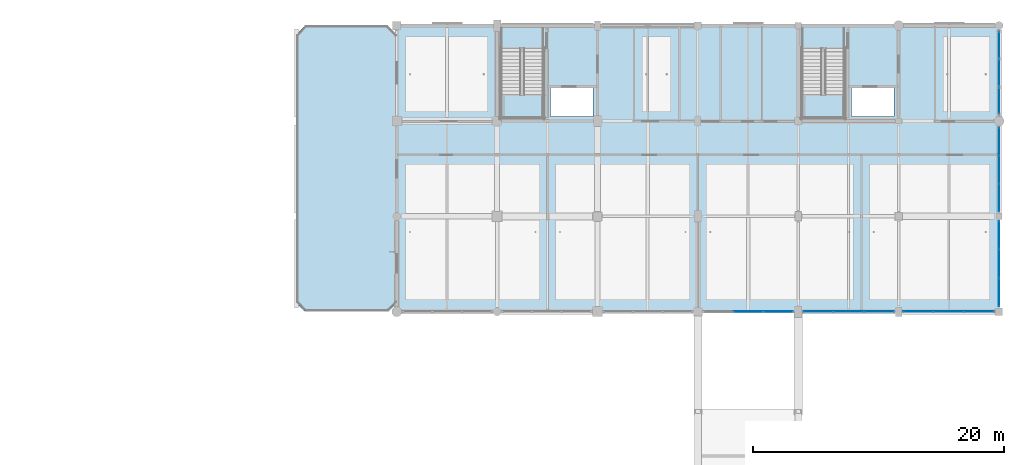
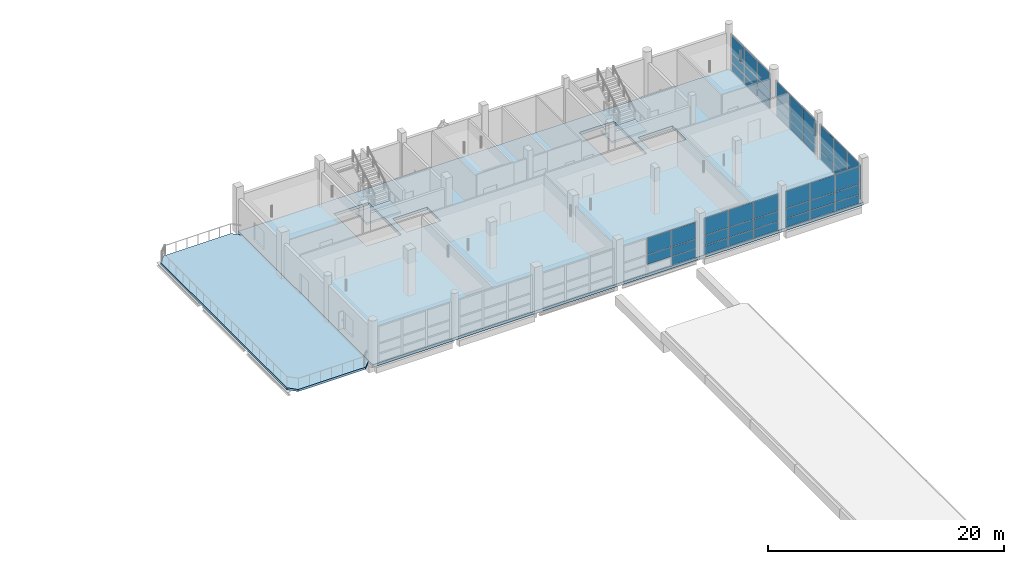
# One storey, part 63 of 107: 50 plates, 4 slabs, 8 elements without a shape of their own.
"""IFC4 building model written with IfcOpenShell, lengths in metres."""

from ifc_helpers import new_model, si_unit, direction, frame, origin, origin_2d, place, context, subcontext, project, spatial, polyline, rectangle, outline, extrude, material, layer, layer_set, type_object, element, aggregate, save


model = new_model("IFC4")

# Units and contexts
model_context = context("Model", 3, precision=1e-05, world=origin(), true_north=direction((0.0, 1.0)))
body_context = subcontext(model_context, "Body", "Model", "MODEL_VIEW")
ifc_project = project(units=[si_unit("LENGTHUNIT", "METRE"), si_unit("AREAUNIT", "SQUARE_METRE"), si_unit("VOLUMEUNIT", "CUBIC_METRE"), si_unit("PLANEANGLEUNIT", "RADIAN"), si_unit("MASSUNIT", "GRAM", prefix="KILO")], contexts=[model_context])

# Site, building, storey
site_placement = place(None, origin())
site = spatial("IfcSite", under=ifc_project, at=site_placement, CompositionType="ELEMENT")
building_placement = place(site_placement, origin())
building = spatial("IfcBuilding", under=site, at=building_placement, Name="Khelvaren Railside Concert Hall", CompositionType="ELEMENT")
storey_placement = place(building_placement, frame((0.0, 0.0, 15.0)))
storey = spatial("IfcBuildingStorey", under=building, at=storey_placement, Name="L03", CompositionType="ELEMENT", Elevation=15.0)

# Curtain wall, plates
ifc_material_1 = material(Name="Double-glazed clear foyer glass", Category="glass")
curtain_wall_type_1 = type_object("IfcCurtainWallType", Name="CW68", PredefinedType="USERDEFINED", material=ifc_material_1)
curtain_wall_1_placement = place(storey_placement, origin())
curtain_wall_1 = element("IfcCurtainWall", 1, at=curtain_wall_1_placement, inside=storey, type_object=curtain_wall_type_1, Name="Unitised Curtain Wall CW-V5-L03-E-91", ObjectType="UNITISED CURTAIN WALL", PredefinedType="USERDEFINED")
ifc_layer_1 = layer(ifc_material_1, 0.0439453125)
ifc_layer_set_1 = layer_set([ifc_layer_1], Name="Double-glazed clear foyer glass")
plate_type_1 = type_object("IfcPlateType", Name="CWP33", PredefinedType="CURTAIN_PANEL", material=ifc_layer_set_1)
plate_1_placement = place(storey_placement, frame((184.0, 97.307861328125, 0.06494140625), z_axis=(0.0, 0.0, 1.0), x_axis=(0.0, -1.0, 0.0)))
plate_1 = element("IfcPlate", 2, at=plate_1_placement, type_object=plate_type_1, Name="CW68 panel 1.1", PredefinedType="CURTAIN_PANEL", context=body_context, shape_type="SweptSolid", body=[
    extrude(rectangle(XDim=2.189208984375, YDim=0.0439453125, at=origin_2d()), origin(), (0.0, 0.0, 1.0), 0.8525390625),
])
plate_2_placement = place(storey_placement, frame((184.0, 97.307861328125, 0.982421875), z_axis=(0.0, 0.0, 1.0), x_axis=(0.0, -1.0, 0.0)))
plate_2 = element("IfcPlate", 3, at=plate_2_placement, type_object=plate_type_1, Name="CW68 panel 1.2", PredefinedType="CURTAIN_PANEL", context=body_context, shape_type="SweptSolid", body=[
    extrude(rectangle(XDim=2.189208984375, YDim=0.0439453125, at=origin_2d()), origin(), (0.0, 0.0, 1.0), 0.893310546875),
])
plate_3_placement = place(storey_placement, frame((184.0, 97.307861328125, 1.94091796875), z_axis=(0.0, 0.0, 1.0), x_axis=(0.0, -1.0, 0.0)))
plate_3 = element("IfcPlate", 4, at=plate_3_placement, type_object=plate_type_1, Name="CW68 panel 1.3", PredefinedType="CURTAIN_PANEL", context=body_context, shape_type="SweptSolid", body=[
    extrude(rectangle(XDim=2.189208984375, YDim=0.0439453125, at=origin_2d()), origin(), (0.0, 0.0, 1.0), 1.6640625),
])
plate_4_placement = place(storey_placement, frame((184.0, 95.02490234375, 0.06494140625), z_axis=(0.0, 0.0, 1.0), x_axis=(0.0, -1.0, 0.0)))
plate_4 = element("IfcPlate", 5, at=plate_4_placement, type_object=plate_type_1, Name="CW68 panel 2.1", PredefinedType="CURTAIN_PANEL", context=body_context, shape_type="SweptSolid", body=[
    extrude(rectangle(XDim=2.2265625, YDim=0.0439453125, at=origin_2d()), origin(), (0.0, 0.0, 1.0), 0.8525390625),
])
plate_5_placement = place(storey_placement, frame((184.0, 95.02490234375, 0.982421875), z_axis=(0.0, 0.0, 1.0), x_axis=(0.0, -1.0, 0.0)))
plate_5 = element("IfcPlate", 6, at=plate_5_placement, type_object=plate_type_1, Name="CW68 panel 2.2", PredefinedType="CURTAIN_PANEL", context=body_context, shape_type="SweptSolid", body=[
    extrude(rectangle(XDim=2.2265625, YDim=0.0439453125, at=origin_2d()), origin(), (0.0, 0.0, 1.0), 0.893310546875),
])
plate_6_placement = place(storey_placement, frame((184.0, 95.02490234375, 1.94091796875), z_axis=(0.0, 0.0, 1.0), x_axis=(0.0, -1.0, 0.0)))
plate_6 = element("IfcPlate", 7, at=plate_6_placement, type_object=plate_type_1, Name="CW68 panel 2.3", PredefinedType="CURTAIN_PANEL", context=body_context, shape_type="SweptSolid", body=[
    extrude(rectangle(XDim=2.2265625, YDim=0.0439453125, at=origin_2d()), origin(), (0.0, 0.0, 1.0), 1.6640625),
])
plate_7_placement = place(storey_placement, frame((184.0, 92.7421875, 0.06494140625), z_axis=(0.0, 0.0, 1.0), x_axis=(0.0, -1.0, 0.0)))
plate_7 = element("IfcPlate", 8, at=plate_7_placement, type_object=plate_type_1, Name="CW68 panel 3.1", PredefinedType="CURTAIN_PANEL", context=body_context, shape_type="SweptSolid", body=[
    extrude(rectangle(XDim=2.189208984375, YDim=0.0439453125, at=origin_2d()), origin(), (0.0, 0.0, 1.0), 0.8525390625),
])
plate_8_placement = place(storey_placement, frame((184.0, 92.7421875, 0.982421875), z_axis=(0.0, 0.0, 1.0), x_axis=(0.0, -1.0, 0.0)))
plate_8 = element("IfcPlate", 9, at=plate_8_placement, type_object=plate_type_1, Name="CW68 panel 3.2", PredefinedType="CURTAIN_PANEL", context=body_context, shape_type="SweptSolid", body=[
    extrude(rectangle(XDim=2.189208984375, YDim=0.0439453125, at=origin_2d()), origin(), (0.0, 0.0, 1.0), 0.893310546875),
])
plate_9_placement = place(storey_placement, frame((184.0, 92.7421875, 1.94091796875), z_axis=(0.0, 0.0, 1.0), x_axis=(0.0, -1.0, 0.0)))
plate_9 = element("IfcPlate", 10, at=plate_9_placement, type_object=plate_type_1, Name="CW68 panel 3.3", PredefinedType="CURTAIN_PANEL", context=body_context, shape_type="SweptSolid", body=[
    extrude(rectangle(XDim=2.189208984375, YDim=0.0439453125, at=origin_2d()), origin(), (0.0, 0.0, 1.0), 1.6640625),
])
aggregate(curtain_wall_1, [plate_1, plate_2, plate_3, plate_4, plate_5, plate_6, plate_7, plate_8, plate_9])

curtain_wall_type_2 = type_object("IfcCurtainWallType", Name="CW70", PredefinedType="USERDEFINED", material=ifc_material_1)
curtain_wall_2_placement = place(storey_placement, origin())
curtain_wall_2 = element("IfcCurtainWall", 11, at=curtain_wall_2_placement, inside=storey, type_object=curtain_wall_type_2, Name="Unitised Curtain Wall CW-V5-L03-E-99", ObjectType="UNITISED CURTAIN WALL", PredefinedType="USERDEFINED")
plate_10_placement = place(storey_placement, frame((184.0, 104.774658203125, 0.06494140625), z_axis=(0.0, 0.0, 1.0), x_axis=(0.0, -1.0, 0.0)))
plate_10 = element("IfcPlate", 12, at=plate_10_placement, type_object=plate_type_1, Name="CW70 panel 1.1", PredefinedType="CURTAIN_PANEL", context=body_context, shape_type="SweptSolid", body=[
    extrude(rectangle(XDim=2.15576171875, YDim=0.0439453125, at=origin_2d()), origin(), (0.0, 0.0, 1.0), 0.8525390625),
])
plate_11_placement = place(storey_placement, frame((184.0, 104.774658203125, 0.982421875), z_axis=(0.0, 0.0, 1.0), x_axis=(0.0, -1.0, 0.0)))
plate_11 = element("IfcPlate", 13, at=plate_11_placement, type_object=plate_type_1, Name="CW70 panel 1.2", PredefinedType="CURTAIN_PANEL", context=body_context, shape_type="SweptSolid", body=[
    extrude(rectangle(XDim=2.15576171875, YDim=0.0439453125, at=origin_2d()), origin(), (0.0, 0.0, 1.0), 0.893310546875),
])
plate_12_placement = place(storey_placement, frame((184.0, 104.774658203125, 1.94091796875), z_axis=(0.0, 0.0, 1.0), x_axis=(0.0, -1.0, 0.0)))
plate_12 = element("IfcPlate", 14, at=plate_12_placement, type_object=plate_type_1, Name="CW70 panel 1.3", PredefinedType="CURTAIN_PANEL", context=body_context, shape_type="SweptSolid", body=[
    extrude(rectangle(XDim=2.15576171875, YDim=0.0439453125, at=origin_2d()), origin(), (0.0, 0.0, 1.0), 1.6640625),
])
plate_13_placement = place(storey_placement, frame((184.0, 102.52490234375, 0.06494140625), z_axis=(0.0, 0.0, 1.0), x_axis=(0.0, -1.0, 0.0)))
plate_13 = element("IfcPlate", 15, at=plate_13_placement, type_object=plate_type_1, Name="CW70 panel 2.1", PredefinedType="CURTAIN_PANEL", context=body_context, shape_type="SweptSolid", body=[
    extrude(rectangle(XDim=2.193359375, YDim=0.0439453125, at=origin_2d()), origin(), (0.0, 0.0, 1.0), 0.8525390625),
])
plate_14_placement = place(storey_placement, frame((184.0, 102.52490234375, 0.982421875), z_axis=(0.0, 0.0, 1.0), x_axis=(0.0, -1.0, 0.0)))
plate_14 = element("IfcPlate", 16, at=plate_14_placement, type_object=plate_type_1, Name="CW70 panel 2.2", PredefinedType="CURTAIN_PANEL", context=body_context, shape_type="SweptSolid", body=[
    extrude(rectangle(XDim=2.193359375, YDim=0.0439453125, at=origin_2d()), origin(), (0.0, 0.0, 1.0), 0.893310546875),
])
plate_15_placement = place(storey_placement, frame((184.0, 102.52490234375, 1.94091796875), z_axis=(0.0, 0.0, 1.0), x_axis=(0.0, -1.0, 0.0)))
plate_15 = element("IfcPlate", 17, at=plate_15_placement, type_object=plate_type_1, Name="CW70 panel 2.3", PredefinedType="CURTAIN_PANEL", context=body_context, shape_type="SweptSolid", body=[
    extrude(rectangle(XDim=2.193359375, YDim=0.0439453125, at=origin_2d()), origin(), (0.0, 0.0, 1.0), 1.6640625),
])
plate_16_placement = place(storey_placement, frame((184.0, 100.275390625, 0.06494140625), z_axis=(0.0, 0.0, 1.0), x_axis=(0.0, -1.0, 0.0)))
plate_16 = element("IfcPlate", 18, at=plate_16_placement, type_object=plate_type_1, Name="CW70 panel 3.1", PredefinedType="CURTAIN_PANEL", context=body_context, shape_type="SweptSolid", body=[
    extrude(rectangle(XDim=2.15576171875, YDim=0.0439453125, at=origin_2d()), origin(), (0.0, 0.0, 1.0), 0.8525390625),
])
plate_17_placement = place(storey_placement, frame((184.0, 100.275390625, 0.982421875), z_axis=(0.0, 0.0, 1.0), x_axis=(0.0, -1.0, 0.0)))
plate_17 = element("IfcPlate", 19, at=plate_17_placement, type_object=plate_type_1, Name="CW70 panel 3.2", PredefinedType="CURTAIN_PANEL", context=body_context, shape_type="SweptSolid", body=[
    extrude(rectangle(XDim=2.15576171875, YDim=0.0439453125, at=origin_2d()), origin(), (0.0, 0.0, 1.0), 0.893310546875),
])
plate_18_placement = place(storey_placement, frame((184.0, 100.275390625, 1.94091796875), z_axis=(0.0, 0.0, 1.0), x_axis=(0.0, -1.0, 0.0)))
plate_18 = element("IfcPlate", 20, at=plate_18_placement, type_object=plate_type_1, Name="CW70 panel 3.3", PredefinedType="CURTAIN_PANEL", context=body_context, shape_type="SweptSolid", body=[
    extrude(rectangle(XDim=2.15576171875, YDim=0.0439453125, at=origin_2d()), origin(), (0.0, 0.0, 1.0), 1.6640625),
])
aggregate(curtain_wall_2, [plate_10, plate_11, plate_12, plate_13, plate_14, plate_15, plate_16, plate_17, plate_18])

ifc_material_2 = material(Name="Acoustic laminated crystal facade glass", Category="glass")
curtain_wall_type_3 = type_object("IfcCurtainWallType", Name="CW21", PredefinedType="USERDEFINED", material=ifc_material_2)
curtain_wall_3_placement = place(storey_placement, origin())
curtain_wall_3 = element("IfcCurtainWall", 21, at=curtain_wall_3_placement, inside=storey, type_object=curtain_wall_type_3, Name="Unitised Curtain Wall CW-V5-L03-E-106", ObjectType="UNITISED CURTAIN WALL", PredefinedType="USERDEFINED")
ifc_layer_2 = layer(ifc_material_2, 0.0400390625)
ifc_layer_set_2 = layer_set([ifc_layer_2], Name="Acoustic laminated crystal facade glass")
plate_type_2 = type_object("IfcPlateType", Name="CWP77", PredefinedType="CURTAIN_PANEL", material=ifc_layer_set_2)
plate_19_placement = place(storey_placement, frame((184.0, 112.456298828125, 0.0849609375), z_axis=(0.0, 0.0, 1.0), x_axis=(0.0, -1.0, 0.0)))
plate_19 = element("IfcPlate", 22, at=plate_19_placement, type_object=plate_type_2, Name="CW21 panel 1.1", PredefinedType="CURTAIN_PANEL", context=body_context, shape_type="SweptSolid", body=[
    extrude(rectangle(XDim=2.112548828125, YDim=0.0400390625, at=origin_2d()), origin(), (0.0, 0.0, 1.0), 0.822509765625),
])
plate_20_placement = place(storey_placement, frame((184.0, 112.456298828125, 0.99267578125), z_axis=(0.0, 0.0, 1.0), x_axis=(0.0, -1.0, 0.0)))
plate_20 = element("IfcPlate", 23, at=plate_20_placement, type_object=plate_type_2, Name="CW21 panel 1.2", PredefinedType="CURTAIN_PANEL", context=body_context, shape_type="SweptSolid", body=[
    extrude(rectangle(XDim=2.112548828125, YDim=0.0400390625, at=origin_2d()), origin(), (0.0, 0.0, 1.0), 0.977294921875),
])
plate_21_placement = place(storey_placement, frame((184.0, 112.456298828125, 2.054931640625), z_axis=(0.0, 0.0, 1.0), x_axis=(0.0, -1.0, 0.0)))
plate_21 = element("IfcPlate", 24, at=plate_21_placement, type_object=plate_type_2, Name="CW21 panel 1.3", PredefinedType="CURTAIN_PANEL", context=body_context, shape_type="SweptSolid", body=[
    extrude(rectangle(XDim=2.112548828125, YDim=0.0400390625, at=origin_2d()), origin(), (0.0, 0.0, 1.0), 1.72998046875),
])
plate_22_placement = place(storey_placement, frame((184.0, 110.237548828125, 0.0849609375), z_axis=(0.0, 0.0, 1.0), x_axis=(0.0, -1.0, 0.0)))
plate_22 = element("IfcPlate", 25, at=plate_22_placement, type_object=plate_type_2, Name="CW21 panel 2.1", PredefinedType="CURTAIN_PANEL", context=body_context, shape_type="SweptSolid", body=[
    extrude(rectangle(XDim=2.155029296875, YDim=0.0400390625, at=origin_2d()), origin(), (0.0, 0.0, 1.0), 0.822509765625),
])
plate_23_placement = place(storey_placement, frame((184.0, 110.237548828125, 0.99267578125), z_axis=(0.0, 0.0, 1.0), x_axis=(0.0, -1.0, 0.0)))
plate_23 = element("IfcPlate", 26, at=plate_23_placement, type_object=plate_type_2, Name="CW21 panel 2.2", PredefinedType="CURTAIN_PANEL", context=body_context, shape_type="SweptSolid", body=[
    extrude(rectangle(XDim=2.155029296875, YDim=0.0400390625, at=origin_2d()), origin(), (0.0, 0.0, 1.0), 0.977294921875),
])
plate_24_placement = place(storey_placement, frame((184.0, 110.237548828125, 2.054931640625), z_axis=(0.0, 0.0, 1.0), x_axis=(0.0, -1.0, 0.0)))
plate_24 = element("IfcPlate", 27, at=plate_24_placement, type_object=plate_type_2, Name="CW21 panel 2.3", PredefinedType="CURTAIN_PANEL", context=body_context, shape_type="SweptSolid", body=[
    extrude(rectangle(XDim=2.155029296875, YDim=0.0400390625, at=origin_2d()), origin(), (0.0, 0.0, 1.0), 1.72998046875),
])
plate_25_placement = place(storey_placement, frame((184.0, 108.018798828125, 0.0849609375), z_axis=(0.0, 0.0, 1.0), x_axis=(0.0, -1.0, 0.0)))
plate_25 = element("IfcPlate", 28, at=plate_25_placement, type_object=plate_type_2, Name="CW21 panel 3.1", PredefinedType="CURTAIN_PANEL", context=body_context, shape_type="SweptSolid", body=[
    extrude(rectangle(XDim=2.112548828125, YDim=0.0400390625, at=origin_2d()), origin(), (0.0, 0.0, 1.0), 0.822509765625),
])
plate_26_placement = place(storey_placement, frame((184.0, 108.018798828125, 0.99267578125), z_axis=(0.0, 0.0, 1.0), x_axis=(0.0, -1.0, 0.0)))
plate_26 = element("IfcPlate", 29, at=plate_26_placement, type_object=plate_type_2, Name="CW21 panel 3.2", PredefinedType="CURTAIN_PANEL", context=body_context, shape_type="SweptSolid", body=[
    extrude(rectangle(XDim=2.112548828125, YDim=0.0400390625, at=origin_2d()), origin(), (0.0, 0.0, 1.0), 0.977294921875),
])
plate_27_placement = place(storey_placement, frame((184.0, 108.018798828125, 2.054931640625), z_axis=(0.0, 0.0, 1.0), x_axis=(0.0, -1.0, 0.0)))
plate_27 = element("IfcPlate", 30, at=plate_27_placement, type_object=plate_type_2, Name="CW21 panel 3.3", PredefinedType="CURTAIN_PANEL", context=body_context, shape_type="SweptSolid", body=[
    extrude(rectangle(XDim=2.112548828125, YDim=0.0400390625, at=origin_2d()), origin(), (0.0, 0.0, 1.0), 1.72998046875),
])
aggregate(curtain_wall_3, [plate_19, plate_20, plate_21, plate_22, plate_23, plate_24, plate_25, plate_26, plate_27])

ifc_material_3 = material(Name="Double-glazed low-E dark acoustic glass", Category="glass")
curtain_wall_type_4 = type_object("IfcCurtainWallType", Name="CW32", PredefinedType="USERDEFINED", material=ifc_material_3)
curtain_wall_4_placement = place(storey_placement, origin())
curtain_wall_4 = element("IfcCurtainWall", 31, at=curtain_wall_4_placement, inside=storey, type_object=curtain_wall_type_4, Name="Unitised Curtain Wall CW-V5-L03-S-160", ObjectType="UNITISED CURTAIN WALL", PredefinedType="USERDEFINED")
ifc_layer_3 = layer(ifc_material_3, 0.031982421875)
ifc_layer_set_3 = layer_set([ifc_layer_3], Name="Double-glazed low-E dark acoustic glass")
plate_type_3 = type_object("IfcPlateType", Name="CWP84", PredefinedType="CURTAIN_PANEL", material=ifc_layer_set_3)
plate_28_placement = place(storey_placement, frame((166.413818359375, 91.199951171875, 0.06494140625), z_axis=(0.0, 0.0, 1.0), x_axis=(-1.0, 0.0, 0.0)))
plate_28 = element("IfcPlate", 32, at=plate_28_placement, type_object=plate_type_3, Name="CW32 panel 1.1", PredefinedType="CURTAIN_PANEL", context=body_context, shape_type="SweptSolid", body=[
    extrude(rectangle(XDim=2.3076171875, YDim=0.031982421875, at=origin_2d()), origin(), (0.0, 0.0, 1.0), 0.8525390625),
])
plate_29_placement = place(storey_placement, frame((166.413818359375, 91.199951171875, 0.982421875), z_axis=(0.0, 0.0, 1.0), x_axis=(-1.0, 0.0, 0.0)))
plate_29 = element("IfcPlate", 33, at=plate_29_placement, type_object=plate_type_3, Name="CW32 panel 1.2", PredefinedType="CURTAIN_PANEL", context=body_context, shape_type="SweptSolid", body=[
    extrude(rectangle(XDim=2.3076171875, YDim=0.031982421875, at=origin_2d()), origin(), (0.0, 0.0, 1.0), 0.9453125),
])
plate_30_placement = place(storey_placement, frame((166.413818359375, 91.199951171875, 1.99267578125), z_axis=(0.0, 0.0, 1.0), x_axis=(-1.0, 0.0, 0.0)))
plate_30 = element("IfcPlate", 34, at=plate_30_placement, type_object=plate_type_3, Name="CW32 panel 1.3", PredefinedType="CURTAIN_PANEL", context=body_context, shape_type="SweptSolid", body=[
    extrude(rectangle(XDim=2.3076171875, YDim=0.031982421875, at=origin_2d()), origin(), (0.0, 0.0, 1.0), 1.712158203125),
])
plate_31_placement = place(storey_placement, frame((164.02490234375, 91.199951171875, 0.982421875), z_axis=(0.0, 0.0, 1.0), x_axis=(-1.0, 0.0, 0.0)))
plate_31 = element("IfcPlate", 35, at=plate_31_placement, type_object=plate_type_3, Name="CW32 panel 2.2", PredefinedType="CURTAIN_PANEL", context=body_context, shape_type="SweptSolid", body=[
    extrude(rectangle(XDim=2.340087890625, YDim=0.031982421875, at=origin_2d()), origin(), (0.0, 0.0, 1.0), 0.9453125),
])
plate_32_placement = place(storey_placement, frame((164.02490234375, 91.199951171875, 1.99267578125), z_axis=(0.0, 0.0, 1.0), x_axis=(-1.0, 0.0, 0.0)))
plate_32 = element("IfcPlate", 36, at=plate_32_placement, type_object=plate_type_3, Name="CW32 panel 2.3", PredefinedType="CURTAIN_PANEL", context=body_context, shape_type="SweptSolid", body=[
    extrude(rectangle(XDim=2.340087890625, YDim=0.031982421875, at=origin_2d()), origin(), (0.0, 0.0, 1.0), 1.712158203125),
])
aggregate(curtain_wall_4, [plate_28, plate_29, plate_30, plate_31, plate_32])

curtain_wall_type_5 = type_object("IfcCurtainWallType", Name="CW94", PredefinedType="USERDEFINED", material=ifc_material_3)
curtain_wall_5_placement = place(storey_placement, origin())
curtain_wall_5 = element("IfcCurtainWall", 37, at=curtain_wall_5_placement, inside=storey, type_object=curtain_wall_type_5, Name="Unitised Curtain Wall CW-V5-L03-S-168", ObjectType="UNITISED CURTAIN WALL", PredefinedType="USERDEFINED")
plate_33_placement = place(storey_placement, frame((174.447021484375, 91.199951171875, 0.06494140625), z_axis=(0.0, 0.0, 1.0), x_axis=(-1.0, 0.0, 0.0)))
plate_33 = element("IfcPlate", 38, at=plate_33_placement, type_object=plate_type_3, Name="CW94 panel 1.1", PredefinedType="CURTAIN_PANEL", context=body_context, shape_type="SweptSolid", body=[
    extrude(rectangle(XDim=2.3408203125, YDim=0.031982421875, at=origin_2d()), origin(), (0.0, 0.0, 1.0), 0.8525390625),
])
plate_34_placement = place(storey_placement, frame((174.447021484375, 91.199951171875, 0.982421875), z_axis=(0.0, 0.0, 1.0), x_axis=(-1.0, 0.0, 0.0)))
plate_34 = element("IfcPlate", 39, at=plate_34_placement, type_object=plate_type_3, Name="CW94 panel 1.2", PredefinedType="CURTAIN_PANEL", context=body_context, shape_type="SweptSolid", body=[
    extrude(rectangle(XDim=2.3408203125, YDim=0.031982421875, at=origin_2d()), origin(), (0.0, 0.0, 1.0), 0.997314453125),
])
plate_35_placement = place(storey_placement, frame((174.447021484375, 91.199951171875, 2.044921875), z_axis=(0.0, 0.0, 1.0), x_axis=(-1.0, 0.0, 0.0)))
plate_35 = element("IfcPlate", 40, at=plate_35_placement, type_object=plate_type_3, Name="CW94 panel 1.3", PredefinedType="CURTAIN_PANEL", context=body_context, shape_type="SweptSolid", body=[
    extrude(rectangle(XDim=2.3408203125, YDim=0.031982421875, at=origin_2d()), origin(), (0.0, 0.0, 1.0), 1.760009765625),
])
plate_36_placement = place(storey_placement, frame((172.02490234375, 91.199951171875, 0.06494140625), z_axis=(0.0, 0.0, 1.0), x_axis=(-1.0, 0.0, 0.0)))
plate_36 = element("IfcPlate", 41, at=plate_36_placement, type_object=plate_type_3, Name="CW94 panel 2.1", PredefinedType="CURTAIN_PANEL", context=body_context, shape_type="SweptSolid", body=[
    extrude(rectangle(XDim=2.373291015625, YDim=0.031982421875, at=origin_2d()), origin(), (0.0, 0.0, 1.0), 0.8525390625),
])
plate_37_placement = place(storey_placement, frame((172.02490234375, 91.199951171875, 0.982421875), z_axis=(0.0, 0.0, 1.0), x_axis=(-1.0, 0.0, 0.0)))
plate_37 = element("IfcPlate", 42, at=plate_37_placement, type_object=plate_type_3, Name="CW94 panel 2.2", PredefinedType="CURTAIN_PANEL", context=body_context, shape_type="SweptSolid", body=[
    extrude(rectangle(XDim=2.373291015625, YDim=0.031982421875, at=origin_2d()), origin(), (0.0, 0.0, 1.0), 0.997314453125),
])
plate_38_placement = place(storey_placement, frame((172.02490234375, 91.199951171875, 2.044921875), z_axis=(0.0, 0.0, 1.0), x_axis=(-1.0, 0.0, 0.0)))
plate_38 = element("IfcPlate", 43, at=plate_38_placement, type_object=plate_type_3, Name="CW94 panel 2.3", PredefinedType="CURTAIN_PANEL", context=body_context, shape_type="SweptSolid", body=[
    extrude(rectangle(XDim=2.373291015625, YDim=0.031982421875, at=origin_2d()), origin(), (0.0, 0.0, 1.0), 1.760009765625),
])
plate_39_placement = place(storey_placement, frame((169.60302734375, 91.199951171875, 0.06494140625), z_axis=(0.0, 0.0, 1.0), x_axis=(-1.0, 0.0, 0.0)))
plate_39 = element("IfcPlate", 44, at=plate_39_placement, type_object=plate_type_3, Name="CW94 panel 3.1", PredefinedType="CURTAIN_PANEL", context=body_context, shape_type="SweptSolid", body=[
    extrude(rectangle(XDim=2.3408203125, YDim=0.031982421875, at=origin_2d()), origin(), (0.0, 0.0, 1.0), 0.8525390625),
])
plate_40_placement = place(storey_placement, frame((169.60302734375, 91.199951171875, 0.982421875), z_axis=(0.0, 0.0, 1.0), x_axis=(-1.0, 0.0, 0.0)))
plate_40 = element("IfcPlate", 45, at=plate_40_placement, type_object=plate_type_3, Name="CW94 panel 3.2", PredefinedType="CURTAIN_PANEL", context=body_context, shape_type="SweptSolid", body=[
    extrude(rectangle(XDim=2.3408203125, YDim=0.031982421875, at=origin_2d()), origin(), (0.0, 0.0, 1.0), 0.997314453125),
])
plate_41_placement = place(storey_placement, frame((169.60302734375, 91.199951171875, 2.044921875), z_axis=(0.0, 0.0, 1.0), x_axis=(-1.0, 0.0, 0.0)))
plate_41 = element("IfcPlate", 46, at=plate_41_placement, type_object=plate_type_3, Name="CW94 panel 3.3", PredefinedType="CURTAIN_PANEL", context=body_context, shape_type="SweptSolid", body=[
    extrude(rectangle(XDim=2.3408203125, YDim=0.031982421875, at=origin_2d()), origin(), (0.0, 0.0, 1.0), 1.760009765625),
])
aggregate(curtain_wall_5, [plate_33, plate_34, plate_35, plate_36, plate_37, plate_38, plate_39, plate_40, plate_41])

curtain_wall_type_6 = type_object("IfcCurtainWallType", Name="CW65", PredefinedType="USERDEFINED", material=ifc_material_3)
curtain_wall_6_placement = place(storey_placement, origin())
curtain_wall_6 = element("IfcCurtainWall", 47, at=curtain_wall_6_placement, inside=storey, type_object=curtain_wall_type_6, Name="Unitised Curtain Wall CW-V5-L03-S-176", ObjectType="UNITISED CURTAIN WALL", PredefinedType="USERDEFINED")
plate_42_placement = place(storey_placement, frame((182.39697265625, 91.199951171875, 0.06494140625), z_axis=(0.0, 0.0, 1.0), x_axis=(-1.0, 0.0, 0.0)))
plate_42 = element("IfcPlate", 48, at=plate_42_placement, type_object=plate_type_3, Name="CW65 panel 1.1", PredefinedType="CURTAIN_PANEL", context=body_context, shape_type="SweptSolid", body=[
    extrude(rectangle(XDim=2.3408203125, YDim=0.031982421875, at=origin_2d()), origin(), (0.0, 0.0, 1.0), 0.8525390625),
])
plate_43_placement = place(storey_placement, frame((182.39697265625, 91.199951171875, 0.982421875), z_axis=(0.0, 0.0, 1.0), x_axis=(-1.0, 0.0, 0.0)))
plate_43 = element("IfcPlate", 49, at=plate_43_placement, type_object=plate_type_3, Name="CW65 panel 1.2", PredefinedType="CURTAIN_PANEL", context=body_context, shape_type="SweptSolid", body=[
    extrude(rectangle(XDim=2.3408203125, YDim=0.031982421875, at=origin_2d()), origin(), (0.0, 0.0, 1.0), 0.997314453125),
])
plate_44_placement = place(storey_placement, frame((182.39697265625, 91.199951171875, 2.044921875), z_axis=(0.0, 0.0, 1.0), x_axis=(-1.0, 0.0, 0.0)))
plate_44 = element("IfcPlate", 50, at=plate_44_placement, type_object=plate_type_3, Name="CW65 panel 1.3", PredefinedType="CURTAIN_PANEL", context=body_context, shape_type="SweptSolid", body=[
    extrude(rectangle(XDim=2.3408203125, YDim=0.031982421875, at=origin_2d()), origin(), (0.0, 0.0, 1.0), 1.760009765625),
])
plate_45_placement = place(storey_placement, frame((179.97509765625, 91.199951171875, 0.06494140625), z_axis=(0.0, 0.0, 1.0), x_axis=(-1.0, 0.0, 0.0)))
plate_45 = element("IfcPlate", 51, at=plate_45_placement, type_object=plate_type_3, Name="CW65 panel 2.1", PredefinedType="CURTAIN_PANEL", context=body_context, shape_type="SweptSolid", body=[
    extrude(rectangle(XDim=2.373291015625, YDim=0.031982421875, at=origin_2d()), origin(), (0.0, 0.0, 1.0), 0.8525390625),
])
plate_46_placement = place(storey_placement, frame((179.97509765625, 91.199951171875, 0.982421875), z_axis=(0.0, 0.0, 1.0), x_axis=(-1.0, 0.0, 0.0)))
plate_46 = element("IfcPlate", 52, at=plate_46_placement, type_object=plate_type_3, Name="CW65 panel 2.2", PredefinedType="CURTAIN_PANEL", context=body_context, shape_type="SweptSolid", body=[
    extrude(rectangle(XDim=2.373291015625, YDim=0.031982421875, at=origin_2d()), origin(), (0.0, 0.0, 1.0), 0.997314453125),
])
plate_47_placement = place(storey_placement, frame((179.97509765625, 91.199951171875, 2.044921875), z_axis=(0.0, 0.0, 1.0), x_axis=(-1.0, 0.0, 0.0)))
plate_47 = element("IfcPlate", 53, at=plate_47_placement, type_object=plate_type_3, Name="CW65 panel 2.3", PredefinedType="CURTAIN_PANEL", context=body_context, shape_type="SweptSolid", body=[
    extrude(rectangle(XDim=2.373291015625, YDim=0.031982421875, at=origin_2d()), origin(), (0.0, 0.0, 1.0), 1.760009765625),
])
plate_48_placement = place(storey_placement, frame((177.552978515625, 91.199951171875, 0.06494140625), z_axis=(0.0, 0.0, 1.0), x_axis=(-1.0, 0.0, 0.0)))
plate_48 = element("IfcPlate", 54, at=plate_48_placement, type_object=plate_type_3, Name="CW65 panel 3.1", PredefinedType="CURTAIN_PANEL", context=body_context, shape_type="SweptSolid", body=[
    extrude(rectangle(XDim=2.3408203125, YDim=0.031982421875, at=origin_2d()), origin(), (0.0, 0.0, 1.0), 0.8525390625),
])
plate_49_placement = place(storey_placement, frame((177.552978515625, 91.199951171875, 0.982421875), z_axis=(0.0, 0.0, 1.0), x_axis=(-1.0, 0.0, 0.0)))
plate_49 = element("IfcPlate", 55, at=plate_49_placement, type_object=plate_type_3, Name="CW65 panel 3.2", PredefinedType="CURTAIN_PANEL", context=body_context, shape_type="SweptSolid", body=[
    extrude(rectangle(XDim=2.3408203125, YDim=0.031982421875, at=origin_2d()), origin(), (0.0, 0.0, 1.0), 0.997314453125),
])
plate_50_placement = place(storey_placement, frame((177.552978515625, 91.199951171875, 2.044921875), z_axis=(0.0, 0.0, 1.0), x_axis=(-1.0, 0.0, 0.0)))
plate_50 = element("IfcPlate", 56, at=plate_50_placement, type_object=plate_type_3, Name="CW65 panel 3.3", PredefinedType="CURTAIN_PANEL", context=body_context, shape_type="SweptSolid", body=[
    extrude(rectangle(XDim=2.3408203125, YDim=0.031982421875, at=origin_2d()), origin(), (0.0, 0.0, 1.0), 1.760009765625),
])
aggregate(curtain_wall_6, [plate_42, plate_43, plate_44, plate_45, plate_46, plate_47, plate_48, plate_49, plate_50])

# Slabs
ifc_material_4 = material(Name="Concrete C40/50", Category="concrete")
ifc_layer_4 = layer(ifc_material_4, 0.219970703125)
ifc_layer_set_4 = layer_set([ifc_layer_4], Name="Concrete C40/50")
slab_type_1 = type_object("IfcSlabType", Name="FS13", PredefinedType="FLOOR", material=ifc_layer_set_4)
slab_1_placement = place(storey_placement, frame((0.0, 0.0, -0.219970703125)))
element("IfcSlab", 57, at=slab_1_placement, inside=storey, type_object=slab_type_1, Name="V5 L03 Outdoor Promenade Terrace Slab", PredefinedType="FLOOR", context=body_context, shape_type="SweptSolid", body=[
    extrude(outline(polyline([(128.699951171875, 91.199951171875), (135.300048828125, 91.199951171875), (136.0, 91.89990234375), (136.0, 113.300048828125), (135.300048828125, 114.0), (128.699951171875, 114.0), (128.0, 113.300048828125), (128.0, 91.89990234375), (128.699951171875, 91.199951171875)])), origin(), (0.0, 0.0, 1.0), 0.219970703125),
])
ifc_layer_5 = layer(ifc_material_4, 0.280029296875)
ifc_layer_set_5 = layer_set([ifc_layer_5], Name="Concrete C40/50")
slab_type_2 = type_object("IfcSlabType", Name="FS18", PredefinedType="FLOOR", material=ifc_layer_set_5)
slab_2_placement = place(storey_placement, frame((0.0, 0.0, -0.280029296875)))
element("IfcSlab", 58, at=slab_2_placement, inside=storey, type_object=slab_type_2, Name="V5 L03 Structural Floor Slab", PredefinedType="FLOOR", context=body_context, shape_type="SweptSolid", body=[
    extrude(outline(polyline([(136.0, 91.199951171875), (184.0, 91.199951171875), (184.0, 114.0), (136.0, 114.0), (136.0, 91.199951171875)]), holes=[polyline([(144.300048828125, 112.159912109375), (144.300048828125, 106.639892578125), (147.699951171875, 106.639892578125), (147.699951171875, 112.159912109375), (144.300048828125, 112.159912109375)]), polyline([(148.25, 106.75), (151.64990234375, 106.75), (151.64990234375, 109.050048828125), (148.25, 109.050048828125), (148.25, 106.75)]), polyline([(168.300048828125, 112.159912109375), (168.300048828125, 106.639892578125), (171.699951171875, 106.639892578125), (171.699951171875, 112.159912109375), (168.300048828125, 112.159912109375)]), polyline([(172.25, 106.75), (175.64990234375, 106.75), (175.64990234375, 109.050048828125), (172.25, 109.050048828125), (172.25, 106.75)])]), origin(), (0.0, 0.0, 1.0), 0.280029296875),
])

# Stair, slab
stair_type = type_object("IfcStairType", Name="ST52", PredefinedType="HALF_TURN_STAIR", material=ifc_material_4)
stair_1_placement = place(storey_placement, origin())
stair_1 = element("IfcStair", 59, at=stair_1_placement, inside=storey, type_object=stair_type, Name="L03 Core Exit Stair ST-09", PredefinedType="HALF_TURN_STAIR")
ifc_layer_6 = layer(ifc_material_4, 0.199951171875)
ifc_layer_set_6 = layer_set([ifc_layer_6], Name="Concrete C40/50")
slab_type_3 = type_object("IfcSlabType", Name="LND67", PredefinedType="LANDING", material=ifc_layer_set_6)
slab_3_placement = place(storey_placement, frame((0.0, 0.0, 2.199951171875)))
slab_3 = element("IfcSlab", 60, at=slab_3_placement, type_object=slab_type_3, Name="ST-09 landing 1", PredefinedType="LANDING", context=body_context, shape_type="SweptSolid", body=[
    extrude(outline(polyline([(144.300048828125, 108.52001953125), (144.300048828125, 106.639892578125), (147.699951171875, 106.639892578125), (147.699951171875, 108.52001953125), (144.300048828125, 108.52001953125)])), origin(), (0.0, 0.0, 1.0), 0.199951171875),
])
aggregate(stair_1, [slab_3])

stair_2_placement = place(storey_placement, origin())
stair_2 = element("IfcStair", 61, at=stair_2_placement, inside=storey, type_object=stair_type, Name="L03 Core Exit Stair ST-10", PredefinedType="HALF_TURN_STAIR")
slab_4_placement = place(storey_placement, frame((0.0, 0.0, 2.199951171875)))
slab_4 = element("IfcSlab", 62, at=slab_4_placement, type_object=slab_type_3, Name="ST-10 landing 1", PredefinedType="LANDING", context=body_context, shape_type="SweptSolid", body=[
    extrude(outline(polyline([(168.300048828125, 108.52001953125), (168.300048828125, 106.639892578125), (171.699951171875, 106.639892578125), (171.699951171875, 108.52001953125), (168.300048828125, 108.52001953125)])), origin(), (0.0, 0.0, 1.0), 0.199951171875),
])
aggregate(stair_2, [slab_4])

save(model, "model.ifc")
